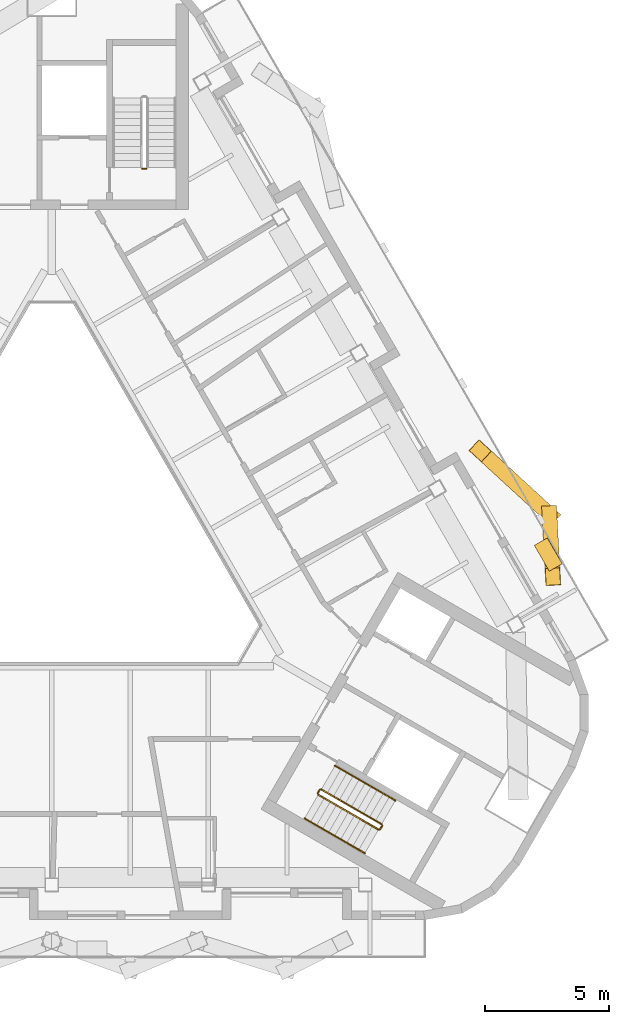
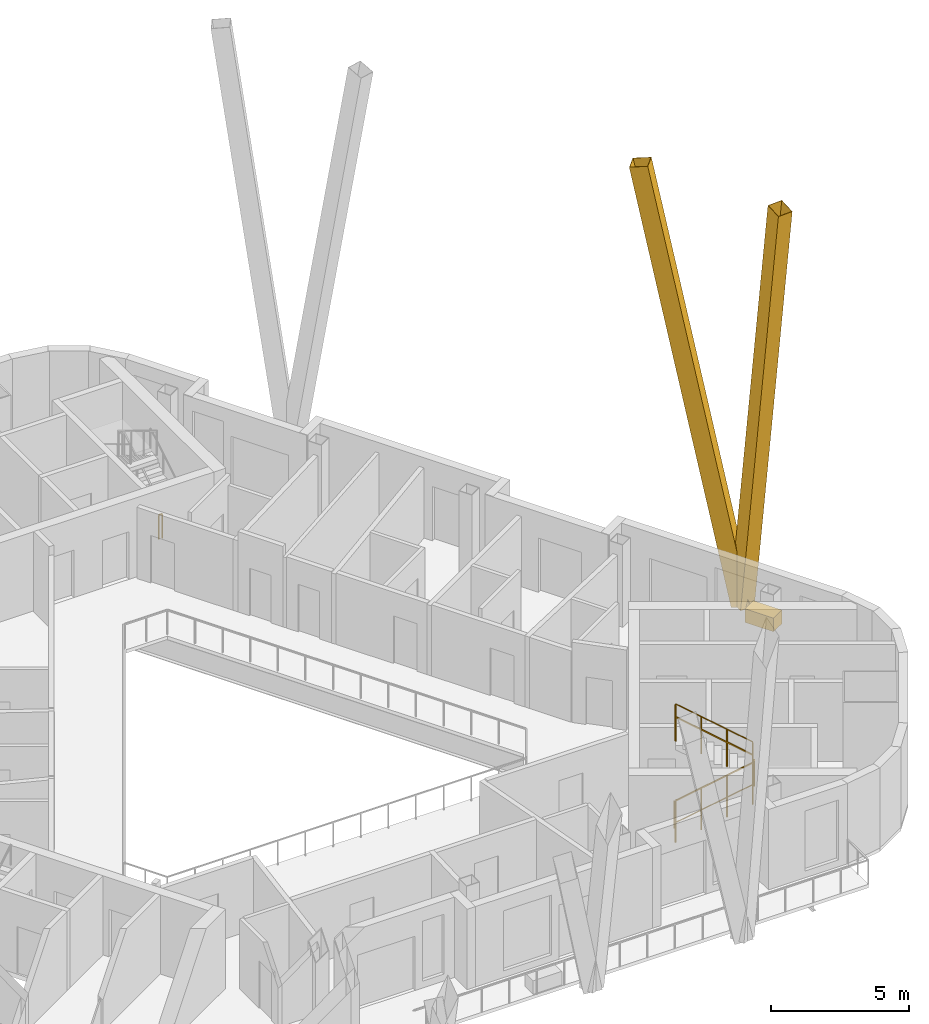
# One storey, part 10 of 12: 7 railings, 2 shading devices, 1 covering.
"""IFC4 building model written with IfcOpenShell, lengths in metres."""

import ifcopenshell
import ifcopenshell.guid

model = None  # the IFC model being written
_history = None  # IfcOwnerHistory: only IFC2X3 demands one
_inside = {}  # id of a spatial element -> (the spatial element, [elements in it])
_under = {}  # id of a project, library or spatial element -> (it, [spatial elements below it])
_declared = {}  # id of a project -> (the project, [libraries it declares])
_typed = {}  # id of a type object -> (the type object, [elements of that type])
_made_of = {}  # id of a material, layer set ... -> (it, [elements and type objects made of it])


def new_model(schema):
    """Start an empty IFC model of exactly this schema.

    Asked for "IFC4X3", IfcOpenShell would pick the latest addendum, in which some entities
    have other attributes; the version numbers below select the first issue.
    IFC2X3 requires an IfcOwnerHistory on every rooted entity: one is made here for all.
    """
    global model, _history
    if schema == "IFC4X3":
        model = ifcopenshell.file(schema_version=(4, 3, 0, 0))
    else:
        model = ifcopenshell.file(schema=schema)
    _inside.clear()
    _under.clear()
    _declared.clear()
    _typed.clear()
    _made_of.clear()
    _history = None
    if model.schema == "IFC2X3":
        org = make("IfcOrganization", Name="unknown")
        user = make(
            "IfcPersonAndOrganization",
            ThePerson=make("IfcPerson", FamilyName="unknown"),
            TheOrganization=org,
        )
        app = make(
            "IfcApplication",
            ApplicationDeveloper=org,
            Version="unknown",
            ApplicationFullName="unknown",
            ApplicationIdentifier="unknown",
        )
        _history = make(
            "IfcOwnerHistory",
            OwningUser=user,
            OwningApplication=app,
            ChangeAction="ADDED",
            CreationDate=0,
        )
    return model


def make(cls, **values):
    """One entity of the class cls with the attributes given. An attribute that is None is left unset."""
    return model.create_entity(
        cls, **{name: value for name, value in values.items() if value is not None}
    )


def rooted(cls, **values):
    """An entity with a GlobalId (a new one), such as an element, a storey or a relation."""
    return make(cls, GlobalId=ifcopenshell.guid.new(), OwnerHistory=_history, **values)


def si_unit(unit_type, name, prefix=None):
    """IfcSIUnit, for example si_unit("LENGTHUNIT", "METRE", prefix="MILLI")."""
    return make("IfcSIUnit", UnitType=unit_type, Prefix=prefix, Name=name)


def assignment(units):
    """IfcUnitAssignment: the units of a project."""
    return None if units is None else make("IfcUnitAssignment", Units=units)


def point(xyz):
    """IfcCartesianPoint."""
    return None if xyz is None else make("IfcCartesianPoint", Coordinates=xyz)


def direction(xyz):
    """IfcDirection."""
    return None if xyz is None else make("IfcDirection", DirectionRatios=xyz)


def frame(location, z_axis=None, x_axis=None):
    """IfcAxis2Placement3D, a coordinate frame: its origin and axes. An axis left out is left unset."""
    return make(
        "IfcAxis2Placement3D",
        Location=point(location),
        Axis=direction(z_axis),
        RefDirection=direction(x_axis),
    )


def frame_2d(location, x_axis=None):
    """IfcAxis2Placement2D, a coordinate frame in the plane: its origin and x axis."""
    return make(
        "IfcAxis2Placement2D", Location=point(location), RefDirection=direction(x_axis)
    )


def origin():
    """The frame at (0, 0, 0) with its axes left unset."""
    return frame((0.0, 0.0, 0.0))


def origin_2d():
    """The frame at (0, 0) in the plane with its x axis left unset."""
    return frame_2d((0.0, 0.0))


def place(relative_to, where):
    """IfcLocalPlacement: puts the frame where relative to a parent placement (None: the world)."""
    return make(
        "IfcLocalPlacement", PlacementRelTo=relative_to, RelativePlacement=where
    )


def context(
    kind, dimensions, precision=None, world=None, true_north=None, identifier=None
):
    """IfcGeometricRepresentationContext, for example the 3D "Model" context."""
    return make(
        "IfcGeometricRepresentationContext",
        ContextIdentifier=identifier,
        ContextType=kind,
        CoordinateSpaceDimension=dimensions,
        Precision=precision,
        WorldCoordinateSystem=world,
        TrueNorth=true_north,
    )


def subcontext(parent, identifier, kind, view, scale=None):
    """IfcGeometricRepresentationSubContext, for example "Body" below "Model"."""
    return make(
        "IfcGeometricRepresentationSubContext",
        ContextIdentifier=identifier,
        ContextType=kind,
        ParentContext=parent,
        TargetScale=scale,
        TargetView=view,
    )


def project(units=None, contexts=None):
    """IfcProject with its units and contexts."""
    return rooted(
        "IfcProject",
        Name="project",
        RepresentationContexts=contexts,
        UnitsInContext=assignment(units),
    )


def spatial(cls, under=None, at=None, **own):
    """A site, building, storey or space (cls), placed at a placement, below another one or the project."""
    s = rooted(cls, ObjectPlacement=at, **own)
    if under is not None:
        _under.setdefault(under.id(), (under, []))[1].append(s)
    return s


def profile(cls, at=None, kind="AREA", **sizes):
    """A parametric profile (cls). Its sizes go by their IFC names, for example OverallWidth=200.0."""
    return make(cls, ProfileType=kind, Position=at, **sizes)


def rectangle(**sizes):
    """IfcRectangleProfileDef."""
    return profile("IfcRectangleProfileDef", **sizes)


def hollow_rectangle(**sizes):
    """IfcRectangleHollowProfileDef."""
    return profile("IfcRectangleHollowProfileDef", **sizes)


def circle(**sizes):
    """IfcCircleProfileDef."""
    return profile("IfcCircleProfileDef", **sizes)


def extrude(swept, where, along, depth):
    """IfcExtrudedAreaSolid: the profile swept, set in the frame where, extruded along a direction by depth."""
    return make(
        "IfcExtrudedAreaSolid",
        SweptArea=swept,
        Position=where,
        ExtrudedDirection=direction(along),
        Depth=depth,
    )


def shape(context_of_items, identifier, shape_type, items):
    """IfcShapeRepresentation: the items that make up one representation, for example the "Body"."""
    return make(
        "IfcShapeRepresentation",
        ContextOfItems=context_of_items,
        RepresentationIdentifier=identifier,
        RepresentationType=shape_type,
        Items=items,
    )


def material(Name=None, Category=None):
    """IfcMaterial."""
    return make("IfcMaterial", Name=Name, Category=Category)


def material_profile(
    of_material, cross_section, Name=None, Category=None, Priority=None
):
    """IfcMaterialProfile: a cross section and its material."""
    return make(
        "IfcMaterialProfile",
        Name=Name,
        Material=of_material,
        Profile=cross_section,
        Priority=Priority,
        Category=Category,
    )


def profile_set(profiles, Name=None, composite=None):
    """IfcMaterialProfileSet."""
    return make(
        "IfcMaterialProfileSet",
        Name=Name,
        MaterialProfiles=profiles,
        CompositeProfile=composite,
    )


def made_of(thing, what):
    """Note that an element or type object is made of a material, layer set ...; save() writes the relation."""
    if what is not None:
        _made_of.setdefault(what.id(), (what, []))[1].append(thing)
    return thing


def type_object(cls, material=None, **own):
    """A type object (cls), such as IfcWallType, which elements share."""
    return made_of(rooted(cls, **own), material)


def element(
    cls,
    number,
    at=None,
    inside=None,
    cuts=None,
    type_object=None,
    material=None,
    context=None,
    identifier="Body",
    shape_type=None,
    held_by="IfcProductDefinitionShape",
    body=None,
    shapes=None,
    **own,
):
    """One element of the class cls, such as IfcWall. Its Tag is "e" and its number.

    at: its placement. inside: the storey or other place that contains it. cuts: it is an
    opening in that element (IfcRelVoidsElement). A single representation is given by context,
    identifier, shape_type and body (its items); several are given by shapes. held_by: the class
    of the entity that holds the representations. save() writes the other relations.
    """
    e = rooted(cls, Tag="e%d" % number, ObjectPlacement=at, **own)
    if body is not None:
        shapes = [shape(context, identifier, shape_type, body)]
    if shapes is not None:
        e.Representation = make(held_by, Representations=shapes)
    if inside is not None:
        _inside.setdefault(inside.id(), (inside, []))[1].append(e)
    if cuts is not None:
        rooted(
            "IfcRelVoidsElement", RelatingBuildingElement=cuts, RelatedOpeningElement=e
        )
    if type_object is not None:
        _typed.setdefault(type_object.id(), (type_object, []))[1].append(e)
    return made_of(e, material)


def aggregate(whole, parts):
    """IfcRelAggregates: a whole, such as a stair, and the parts it consists of."""
    return rooted("IfcRelAggregates", RelatingObject=whole, RelatedObjects=parts)


def save(model, path):
    """Write the relations noted so far, then the file.

    IfcRelAggregates (storeys below a building ...), IfcRelContainedInSpatialStructure (elements
    in a storey), IfcRelDefinesByType, IfcRelAssociatesMaterial and IfcRelDeclares: one each for
    every whole, place, type object, material and project.
    """
    for whole, parts in _under.values():
        aggregate(whole, parts)
    for where, things in _inside.values():
        rooted(
            "IfcRelContainedInSpatialStructure",
            RelatedElements=things,
            RelatingStructure=where,
        )
    for kind, things in _typed.values():
        rooted("IfcRelDefinesByType", RelatedObjects=things, RelatingType=kind)
    for what, things in _made_of.values():
        rooted("IfcRelAssociatesMaterial", RelatedObjects=things, RelatingMaterial=what)
    for by, libraries in _declared.values():
        rooted("IfcRelDeclares", RelatingContext=by, RelatedDefinitions=libraries)
    model.write(path)


model = new_model("IFC4")

# Units and contexts
model_context = context("Model", 3, precision=1e-05, world=origin(), true_north=direction((0.0, 1.0)))
body_context = subcontext(model_context, "Body", "Model", "MODEL_VIEW")
ifc_project = project(units=[si_unit("LENGTHUNIT", "METRE"), si_unit("AREAUNIT", "SQUARE_METRE"), si_unit("VOLUMEUNIT", "CUBIC_METRE"), si_unit("PLANEANGLEUNIT", "RADIAN"), si_unit("MASSUNIT", "GRAM", prefix="KILO")], contexts=[model_context])

# Site, building, storey
site_placement = place(None, origin())
site = spatial("IfcSite", under=ifc_project, at=site_placement, CompositionType="ELEMENT")
building_placement = place(site_placement, origin())
building = spatial("IfcBuilding", under=site, at=building_placement, Name="Apuvela Tower Hotel", CompositionType="ELEMENT")
storey_placement = place(building_placement, frame((0.0, 0.0, 324.39990234375)))
storey = spatial("IfcBuildingStorey", under=building, at=storey_placement, Name="L81", CompositionType="ELEMENT", Elevation=324.39990234375)

# Railings
ifc_material_1 = material(Name="Steel S275 balustrade", Category="steel")
railing_type_1 = type_object("IfcRailingType", Name="COR-GUARD-1100", PredefinedType="GUARDRAIL", material=ifc_material_1)
railing_1_placement = place(storey_placement, frame((3.800048828125, 14.550048828125, 0.0)))
element("IfcRailing", 1, at=railing_1_placement, inside=storey, type_object=railing_type_1, Name="L81 ST1 stair guard 4", PredefinedType="GUARDRAIL", context=body_context, shape_type="SweptSolid", body=[
    extrude(rectangle(XDim=0.048095703125, YDim=0.048095703125, at=origin_2d()), frame((0.0, 0.0, 1.076171875), z_axis=(-1.0, 0.0, 0.0), x_axis=(0.0, -1.0, 0.0)), (0.0, 0.0, 1.0), 0.150146484375),
    extrude(rectangle(XDim=0.0419921875, YDim=0.0419921875, at=origin_2d()), origin(), (0.0, 0.0, 1.0), 1.052001953125),
    extrude(rectangle(XDim=0.0419921875, YDim=0.0419921875, at=origin_2d()), frame((-0.150146484375, 0.0, 0.0)), (0.0, 0.0, 1.0), 1.052001953125),
])
railing_2_placement = place(storey_placement, frame((10.718994140625, -10.63427734375, 0.168212890625)))
element("IfcRailing", 2, at=railing_2_placement, inside=storey, type_object=railing_type_1, Name="L81 ST3 stair guard 1", PredefinedType="GUARDRAIL", context=body_context, shape_type="SweptSolid", body=[
    extrude(rectangle(XDim=0.048095703125, YDim=0.048095703125, at=origin_2d()), frame((0.0, 0.0, 1.076171875), z_axis=(0.742390482028, -0.42860119049, 0.514934356695), x_axis=(0.49998411664, 0.866034573852, 0.0)), (0.0, 0.0, 1.0), 3.26611328125),
    extrude(rectangle(XDim=0.0419921875, YDim=0.0419921875, at=origin_2d()), origin(), (0.0, 0.0, 1.0), 1.052001953125),
    extrude(rectangle(XDim=0.0419921875, YDim=0.0419921875, at=origin_2d()), frame((0.808349609375, -0.466552734375, 0.560546875)), (0.0, 0.0, 1.0), 1.052001953125),
    extrude(rectangle(XDim=0.0419921875, YDim=0.0419921875, at=origin_2d()), frame((1.616455078125, -0.933349609375, 1.121337890625)), (0.0, 0.0, 1.0), 1.052001953125),
    extrude(rectangle(XDim=0.0419921875, YDim=0.0419921875, at=origin_2d()), frame((2.4248046875, -1.39990234375, 1.681884765625)), (0.0, 0.0, 1.0), 1.052001953125),
])
railing_3_placement = place(storey_placement, frame((13.212158203125, -12.015869140625, 1.85009765625)))
element("IfcRailing", 3, at=railing_3_placement, inside=storey, type_object=railing_type_1, Name="L81 ST3 stair guard 2", PredefinedType="GUARDRAIL", context=body_context, shape_type="SweptSolid", body=[
    extrude(rectangle(XDim=0.048095703125, YDim=0.048095703125, at=origin_2d()), frame((0.0, 0.0, 1.076171875), z_axis=(0.499816412211, 0.866131372301, 0.0), x_axis=(-0.866131372301, 0.499816412211, 0.0)), (0.0, 0.0, 1.0), 0.14990234375),
    extrude(rectangle(XDim=0.0419921875, YDim=0.0419921875, at=origin_2d()), origin(), (0.0, 0.0, 1.0), 1.052001953125),
    extrude(rectangle(XDim=0.0419921875, YDim=0.0419921875, at=origin_2d()), frame((0.074951171875, 0.1298828125, 0.0)), (0.0, 0.0, 1.0), 1.052001953125),
])
railing_4_placement = place(storey_placement, frame((13.268798828125, -11.817626953125, 2.018310546875)))
element("IfcRailing", 4, at=railing_4_placement, inside=storey, type_object=railing_type_1, Name="L81 ST3 stair guard 3", PredefinedType="GUARDRAIL", context=body_context, shape_type="SweptSolid", body=[
    extrude(rectangle(XDim=0.048095703125, YDim=0.048095703125, at=origin_2d()), frame((0.0, 0.0, 1.076171875), z_axis=(-0.742390482028, 0.42860119049, 0.514934356695), x_axis=(-0.49998411664, -0.866034573852, 0.0)), (0.0, 0.0, 1.0), 3.26611328125),
    extrude(rectangle(XDim=0.0419921875, YDim=0.0419921875, at=origin_2d()), origin(), (0.0, 0.0, 1.0), 1.052001953125),
    extrude(rectangle(XDim=0.0419921875, YDim=0.0419921875, at=origin_2d()), frame((-0.808349609375, 0.466552734375, 0.560546875)), (0.0, 0.0, 1.0), 1.052001953125),
    extrude(rectangle(XDim=0.0419921875, YDim=0.0419921875, at=origin_2d()), frame((-1.616455078125, 0.933349609375, 1.121337890625)), (0.0, 0.0, 1.0), 1.052001953125),
    extrude(rectangle(XDim=0.0419921875, YDim=0.0419921875, at=origin_2d()), frame((-2.4248046875, 1.39990234375, 1.681884765625)), (0.0, 0.0, 1.0), 1.052001953125),
])
railing_5_placement = place(storey_placement, frame((10.70068359375, -10.56591796875, 0.0)))
element("IfcRailing", 5, at=railing_5_placement, inside=storey, type_object=railing_type_1, Name="L81 ST3 stair guard 4", PredefinedType="GUARDRAIL", context=body_context, shape_type="SweptSolid", body=[
    extrude(rectangle(XDim=0.048095703125, YDim=0.048095703125, at=origin_2d()), frame((0.0, 0.0, 1.076171875), z_axis=(0.499816412211, 0.866131372301, 0.0), x_axis=(-0.866131372301, 0.499816412211, 0.0)), (0.0, 0.0, 1.0), 0.14990234375),
    extrude(rectangle(XDim=0.0419921875, YDim=0.0419921875, at=origin_2d()), origin(), (0.0, 0.0, 1.0), 1.052001953125),
    extrude(rectangle(XDim=0.0419921875, YDim=0.0419921875, at=origin_2d()), frame((0.074951171875, 0.1298828125, 0.0)), (0.0, 0.0, 1.0), 1.052001953125),
])
ifc_material_2 = material(Name="Stainless steel 316 handrail", Category="steel")
railing_type_2 = type_object("IfcRailingType", Name="COR-HANDRAIL-900", PredefinedType="HANDRAIL", material=ifc_material_2)
railing_6_placement = place(storey_placement, frame((10.1689453125, -11.5869140625, 0.168212890625)))
element("IfcRailing", 6, at=railing_6_placement, inside=storey, type_object=railing_type_2, Name="L81 ST3 stair handrail 1", PredefinedType="HANDRAIL", context=body_context, shape_type="SweptSolid", body=[
    extrude(circle(Radius=0.02392578125, at=origin_2d()), frame((0.0, 0.0, 0.8759765625), z_axis=(0.742390482028, -0.42860119049, 0.514934356695), x_axis=(0.49998411664, 0.866034573852, 0.0)), (0.0, 0.0, 1.0), 3.26611328125),
    extrude(rectangle(XDim=0.0419921875, YDim=0.0419921875, at=origin_2d()), origin(), (0.0, 0.0, 1.0), 0.851806640625),
    extrude(rectangle(XDim=0.0419921875, YDim=0.0419921875, at=origin_2d()), frame((0.808349609375, -0.466552734375, 0.560546875)), (0.0, 0.0, 1.0), 0.851806640625),
    extrude(rectangle(XDim=0.0419921875, YDim=0.0419921875, at=origin_2d()), frame((1.616455078125, -0.933349609375, 1.121337890625)), (0.0, 0.0, 1.0), 0.851806640625),
    extrude(rectangle(XDim=0.0419921875, YDim=0.0419921875, at=origin_2d()), frame((2.4248046875, -1.39990234375, 1.681884765625)), (0.0, 0.0, 1.0), 0.851806640625),
])
railing_7_placement = place(storey_placement, frame((13.81884765625, -10.864990234375, 2.018310546875)))
element("IfcRailing", 7, at=railing_7_placement, inside=storey, type_object=railing_type_2, Name="L81 ST3 stair handrail 2", PredefinedType="HANDRAIL", context=body_context, shape_type="SweptSolid", body=[
    extrude(circle(Radius=0.02392578125, at=origin_2d()), frame((0.0, 0.0, 0.8759765625), z_axis=(-0.742390482028, 0.42860119049, 0.514934356695), x_axis=(-0.49998411664, -0.866034573852, 0.0)), (0.0, 0.0, 1.0), 3.26611328125),
    extrude(rectangle(XDim=0.0419921875, YDim=0.0419921875, at=origin_2d()), origin(), (0.0, 0.0, 1.0), 0.851806640625),
    extrude(rectangle(XDim=0.0419921875, YDim=0.0419921875, at=origin_2d()), frame((-0.808349609375, 0.466552734375, 0.560546875)), (0.0, 0.0, 1.0), 0.851806640625),
    extrude(rectangle(XDim=0.0419921875, YDim=0.0419921875, at=origin_2d()), frame((-1.616455078125, 0.933349609375, 1.121337890625)), (0.0, 0.0, 1.0), 0.851806640625),
    extrude(rectangle(XDim=0.0419921875, YDim=0.0419921875, at=origin_2d()), frame((-2.4248046875, 1.39990234375, 1.681884765625)), (0.0, 0.0, 1.0), 0.851806640625),
])

# Shading devices
ifc_material_3 = material(Name="Aluminium 6063-T6, black anodised", Category="aluminium")
ifc_material_profile = material_profile(ifc_material_3, hollow_rectangle(XDim=0.60009765625, YDim=0.699951171875, WallThickness=0.011962890625, at=origin_2d()), Name="AL BOX 700x600x12")
ifc_profile_set = profile_set([ifc_material_profile], Name="Aluminium 6063-T6, black anodised")
shading_device_type = type_object("IfcShadingDeviceType", Name="ENV-FIN-700x600", PredefinedType="USERDEFINED", material=ifc_profile_set)
shading_device_1_placement = place(storey_placement, frame((20.021240234375, 0.64306640625, -0.099853515625), z_axis=(0.007183710281, -0.131419641029, 0.991300798072), x_axis=(0.998509351823, 0.054580897045, 0.0)))
element("IfcShadingDevice", 8, at=shading_device_1_placement, inside=storey, type_object=shading_device_type, Name="Lattice fin NE681", ObjectType="FIN", PredefinedType="USERDEFINED", context=body_context, shape_type="SweptSolid", body=[
    extrude(hollow_rectangle(XDim=0.60009765625, YDim=0.699951171875, WallThickness=0.011962890625, at=origin_2d()), origin(), (0.0, 0.0, 1.0), 19.065673828125),
])
shading_device_2_placement = place(storey_placement, frame((20.021240234375, 0.64306640625, -0.099853515625), z_axis=(-0.144549926219, 0.132668763338, 0.980563265712), x_axis=(-0.676180546698, -0.736735955596, 0.0)))
element("IfcShadingDevice", 9, at=shading_device_2_placement, inside=storey, type_object=shading_device_type, Name="Lattice fin NE682", ObjectType="FIN", PredefinedType="USERDEFINED", context=body_context, shape_type="SweptSolid", body=[
    extrude(hollow_rectangle(XDim=0.60009765625, YDim=0.699951171875, WallThickness=0.011962890625, at=origin_2d()), origin(), (0.0, 0.0, 1.0), 19.274658203125),
])

# Covering
ifc_material_4 = material(Name="Planting substrate and soil, planted")
covering_type = type_object("IfcCoveringType", Name="ENV-PLANTER-1200x600", PredefinedType="USERDEFINED", material=ifc_material_4)
covering_placement = place(storey_placement, frame((19.972900390625, -0.973388671875, 0.0), z_axis=(0.0, 0.0, 1.0), x_axis=(-0.5, 0.866025403784, 0.0)))
element("IfcCovering", 10, at=covering_placement, inside=storey, type_object=covering_type, Name="Planter NE3", ObjectType="PLANTER", PredefinedType="USERDEFINED", context=body_context, shape_type="SweptSolid", body=[
    extrude(rectangle(XDim=1.199951171875, YDim=0.60009765625, at=origin_2d()), origin(), (0.0, 0.0, 1.0), 0.60009765625),
])

save(model, "model.ifc")
